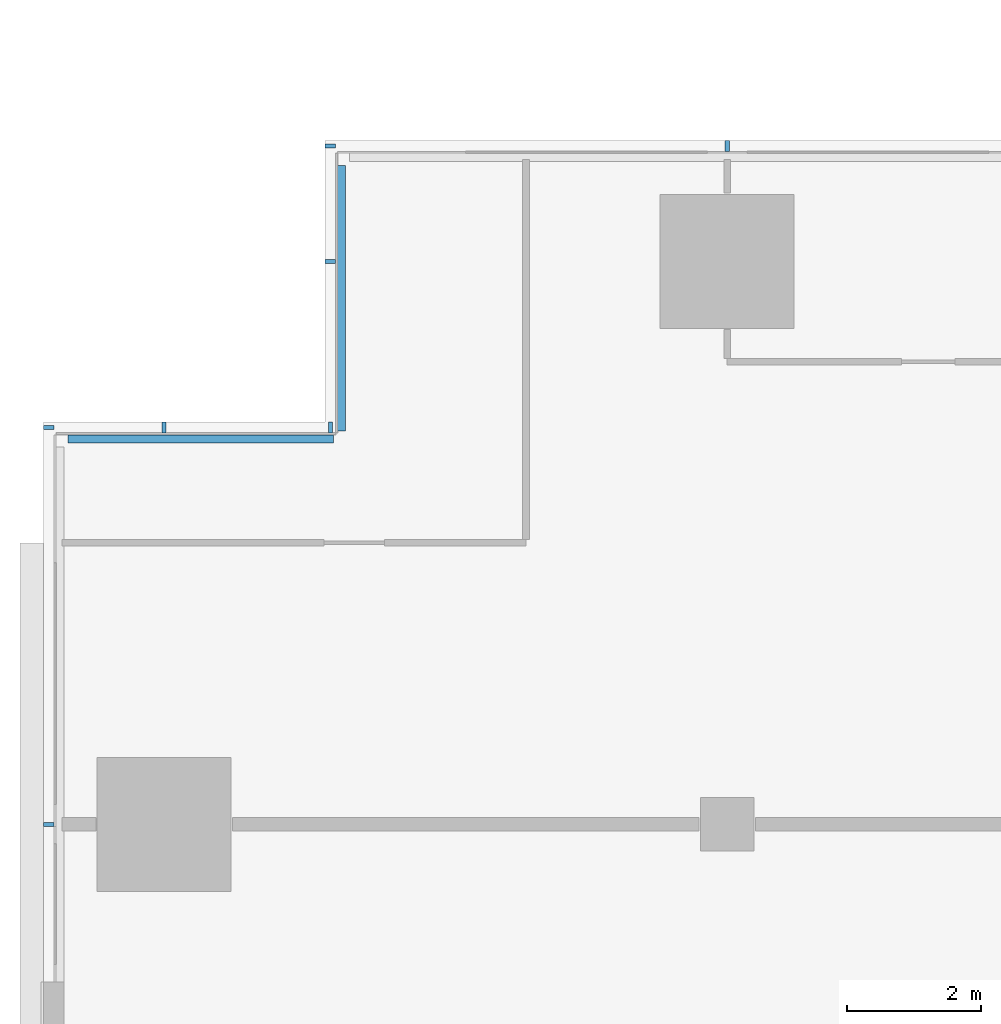
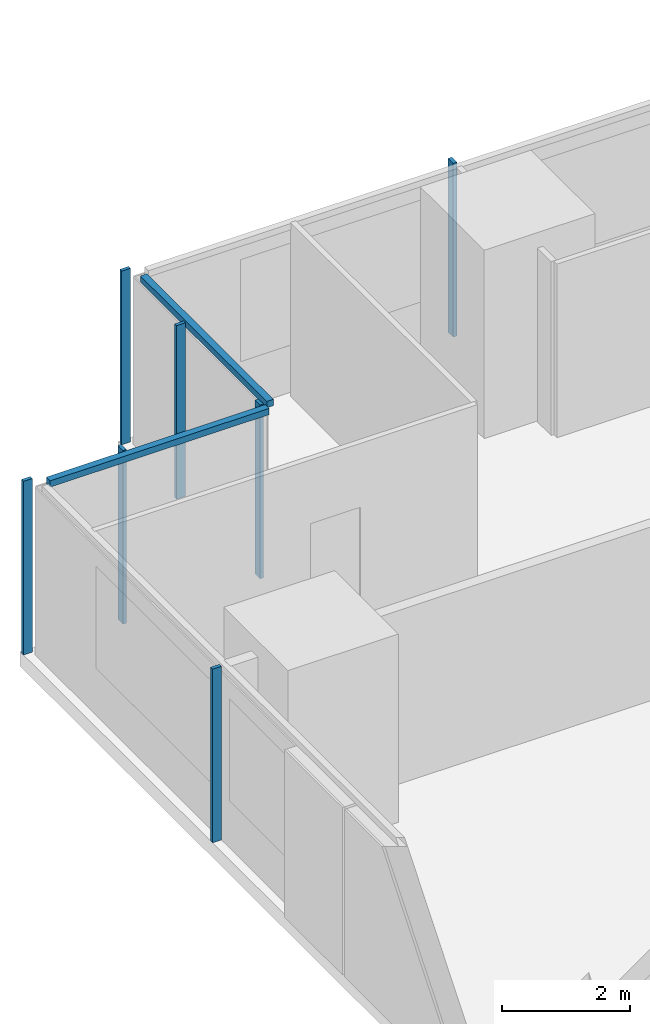
# One storey, part 11 of 30: 9 members, 4 elements without a shape of their own.
"""IFC4 building model written with IfcOpenShell, lengths in metres."""

from ifc_helpers import new_model, si_unit, direction, frame, origin, origin_2d, place, context, subcontext, project, spatial, rectangle, extrude, material, material_profile, profile_set, type_object, element, aggregate, save


model = new_model("IFC4")

# Units and contexts
model_context = context("Model", 3, precision=1e-05, world=origin(), true_north=direction((0.0, 1.0)))
body_context = subcontext(model_context, "Body", "Model", "MODEL_VIEW")
ifc_project = project(units=[si_unit("LENGTHUNIT", "METRE"), si_unit("AREAUNIT", "SQUARE_METRE"), si_unit("VOLUMEUNIT", "CUBIC_METRE"), si_unit("PLANEANGLEUNIT", "RADIAN"), si_unit("MASSUNIT", "GRAM", prefix="KILO")], contexts=[model_context])

# Site, building, storey
site_placement = place(None, origin())
site = spatial("IfcSite", under=ifc_project, at=site_placement, CompositionType="ELEMENT")
building_placement = place(site_placement, origin())
building = spatial("IfcBuilding", under=site, at=building_placement, Name="Saffron Gate Tower", CompositionType="ELEMENT")
storey_placement = place(building_placement, frame((0.0, 0.0, 95.25)))
storey = spatial("IfcBuildingStorey", under=building, at=storey_placement, Name="L21", CompositionType="ELEMENT", Elevation=95.25)

# Curtain wall, members
ifc_material = material(Name="Aluminium, bronze anodised", Category="aluminium")
curtain_wall_type_1 = type_object("IfcCurtainWallType", Name="CWS2 curtain wall side facades", PredefinedType="NOTDEFINED", material=ifc_material)
curtain_wall_1_placement = place(storey_placement, origin())
curtain_wall_1 = element("IfcCurtainWall", 1, at=curtain_wall_1_placement, inside=storey, type_object=curtain_wall_type_1, Name="CWS2 run 10", PredefinedType="NOTDEFINED")
ifc_material_profile_1 = material_profile(ifc_material, rectangle(XDim=0.159912109375, YDim=0.06005859375, at=origin_2d()))
ifc_profile_set_1 = profile_set([ifc_material_profile_1], Name="Aluminium, bronze anodised")
member_type_1 = type_object("IfcMemberType", Name="CWS2 mullion 60x160", PredefinedType="MULLION", material=ifc_profile_set_1)
member_1_placement = place(storey_placement, frame((48.080078125, 71.320068359375, 0.0), z_axis=(0.0, 0.0, 1.0), x_axis=(1.0, 0.0, 0.0)))
member_1 = element("IfcMember", 2, at=member_1_placement, type_object=member_type_1, Name="CWS2 mullion 1", PredefinedType="MULLION", context=body_context, shape_type="SweptSolid", body=[
    extrude(rectangle(XDim=0.159912109375, YDim=0.06005859375, at=origin_2d()), origin(), (0.0, 0.0, 1.0), 3.320068359375),
])
member_2_placement = place(storey_placement, frame((48.080078125, 65.39990234375, 0.0), z_axis=(0.0, 0.0, 1.0), x_axis=(1.0, 0.0, 0.0)))
member_2 = element("IfcMember", 3, at=member_2_placement, type_object=member_type_1, Name="CWS2 mullion 2", PredefinedType="MULLION", context=body_context, shape_type="SweptSolid", body=[
    extrude(rectangle(XDim=0.159912109375, YDim=0.06005859375, at=origin_2d()), origin(), (0.0, 0.0, 1.0), 3.320068359375),
])
aggregate(curtain_wall_1, [member_1, member_2])

# Curtain wall, member
curtain_wall_type_2 = type_object("IfcCurtainWallType", Name="CWS3 curtain wall rear facade", PredefinedType="NOTDEFINED", material=ifc_material)
curtain_wall_2_placement = place(storey_placement, origin())
curtain_wall_2 = element("IfcCurtainWall", 4, at=curtain_wall_2_placement, inside=storey, type_object=curtain_wall_type_2, Name="CWS3 run 7", PredefinedType="NOTDEFINED")
ifc_material_profile_2 = material_profile(ifc_material, rectangle(XDim=0.159912109375, YDim=0.070068359375, at=origin_2d()))
ifc_profile_set_2 = profile_set([ifc_material_profile_2], Name="Aluminium, bronze anodised")
member_type_2 = type_object("IfcMemberType", Name="CWS3 mullion 70x160", PredefinedType="MULLION", material=ifc_profile_set_2)
member_3_placement = place(storey_placement, frame((58.199951171875, 75.52001953125, 0.0), z_axis=(0.0, 0.0, 1.0), x_axis=(0.0, -1.0, 0.0)))
member_3 = element("IfcMember", 5, at=member_3_placement, type_object=member_type_2, Name="CWS3 mullion 9", PredefinedType="MULLION", context=body_context, shape_type="SweptSolid", body=[
    extrude(rectangle(XDim=0.159912109375, YDim=0.070068359375, at=origin_2d()), origin(), (0.0, 0.0, 1.0), 3.320068359375),
])
aggregate(curtain_wall_2, [member_3])

curtain_wall_type_3 = type_object("IfcCurtainWallType", Name="CWS4 curtain wall corner returns", PredefinedType="NOTDEFINED", material=ifc_material)
curtain_wall_3_placement = place(storey_placement, origin())
curtain_wall_3 = element("IfcCurtainWall", 6, at=curtain_wall_3_placement, inside=storey, type_object=curtain_wall_type_3, Name="CWS4 run 8", PredefinedType="NOTDEFINED")
ifc_material_profile_3 = material_profile(ifc_material, rectangle(XDim=0.1201171875, YDim=0.1201171875, at=origin_2d()))
ifc_profile_set_3 = profile_set([ifc_material_profile_3], Name="Aluminium, bronze anodised")
member_type_3 = type_object("IfcMemberType", Name="CWS4 head transom", PredefinedType="USERDEFINED", material=ifc_profile_set_3)
member_4_placement = place(storey_placement, frame((52.447998046875, 75.23193359375, 3.260009765625), z_axis=(0.0, -1.0, 0.0), x_axis=(1.0, 0.0, 0.0)))
member_4 = element("IfcMember", 7, at=member_4_placement, type_object=member_type_3, Name="CWS4 head transom", ObjectType="TRANSOM", PredefinedType="USERDEFINED", context=body_context, shape_type="SweptSolid", body=[
    extrude(rectangle(XDim=0.1201171875, YDim=0.1201171875, at=origin_2d()), origin(), (0.0, 0.0, 1.0), 3.9599609375),
])

curtain_wall_4_placement = place(storey_placement, origin())
curtain_wall_4 = element("IfcCurtainWall", 8, at=curtain_wall_4_placement, inside=storey, type_object=curtain_wall_type_3, Name="CWS4 run 9", PredefinedType="NOTDEFINED")
member_5_placement = place(storey_placement, frame((52.327880859375, 71.152099609375, 3.260009765625), z_axis=(-1.0, 0.0, 0.0), x_axis=(0.0, -1.0, 0.0)))
member_5 = element("IfcMember", 9, at=member_5_placement, type_object=member_type_3, Name="CWS4 head transom", ObjectType="TRANSOM", PredefinedType="USERDEFINED", context=body_context, shape_type="SweptSolid", body=[
    extrude(rectangle(XDim=0.1201171875, YDim=0.1201171875, at=origin_2d()), origin(), (0.0, 0.0, 1.0), 3.9599609375),
])

# Member
ifc_material_profile_4 = material_profile(ifc_material, rectangle(XDim=0.159912109375, YDim=0.06005859375, at=origin_2d()))
ifc_profile_set_4 = profile_set([ifc_material_profile_4], Name="Aluminium, bronze anodised")
member_type_4 = type_object("IfcMemberType", Name="CWS4 mullion 60x160", PredefinedType="MULLION", material=ifc_profile_set_4)
member_6_placement = place(storey_placement, frame((52.280029296875, 75.52001953125, 0.0), z_axis=(0.0, 0.0, 1.0), x_axis=(1.0, 0.0, 0.0)))
member_6 = element("IfcMember", 10, at=member_6_placement, type_object=member_type_4, Name="CWS4 mullion 1", PredefinedType="MULLION", context=body_context, shape_type="SweptSolid", body=[
    extrude(rectangle(XDim=0.159912109375, YDim=0.06005859375, at=origin_2d()), origin(), (0.0, 0.0, 1.0), 3.320068359375),
])

member_7_placement = place(storey_placement, frame((52.280029296875, 73.800048828125, 0.0), z_axis=(0.0, 0.0, 1.0), x_axis=(1.0, 0.0, 0.0)))
member_7 = element("IfcMember", 11, at=member_7_placement, type_object=member_type_4, Name="CWS4 mullion 2", PredefinedType="MULLION", context=body_context, shape_type="SweptSolid", body=[
    extrude(rectangle(XDim=0.159912109375, YDim=0.06005859375, at=origin_2d()), origin(), (0.0, 0.0, 1.0), 3.320068359375),
])

aggregate(curtain_wall_3, [member_6, member_7, member_4])

member_8_placement = place(storey_placement, frame((52.280029296875, 71.320068359375, 0.0), z_axis=(0.0, 0.0, 1.0), x_axis=(0.0, -1.0, 0.0)))
member_8 = element("IfcMember", 12, at=member_8_placement, type_object=member_type_4, Name="CWS4 mullion 1", PredefinedType="MULLION", context=body_context, shape_type="SweptSolid", body=[
    extrude(rectangle(XDim=0.159912109375, YDim=0.06005859375, at=origin_2d()), origin(), (0.0, 0.0, 1.0), 3.320068359375),
])

member_9_placement = place(storey_placement, frame((49.800048828125, 71.320068359375, 0.0), z_axis=(0.0, 0.0, 1.0), x_axis=(0.0, -1.0, 0.0)))
member_9 = element("IfcMember", 13, at=member_9_placement, type_object=member_type_4, Name="CWS4 mullion 2", PredefinedType="MULLION", context=body_context, shape_type="SweptSolid", body=[
    extrude(rectangle(XDim=0.159912109375, YDim=0.06005859375, at=origin_2d()), origin(), (0.0, 0.0, 1.0), 3.320068359375),
])

aggregate(curtain_wall_4, [member_8, member_9, member_5])

save(model, "model.ifc")
